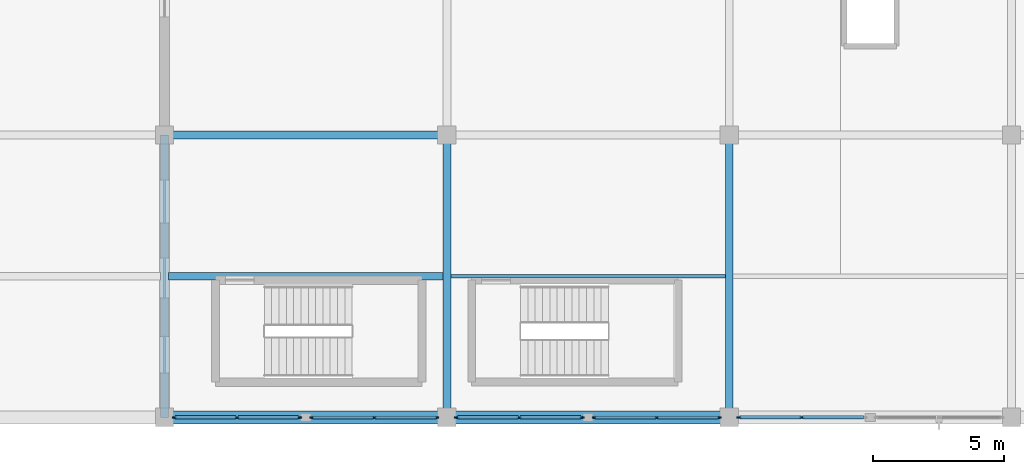
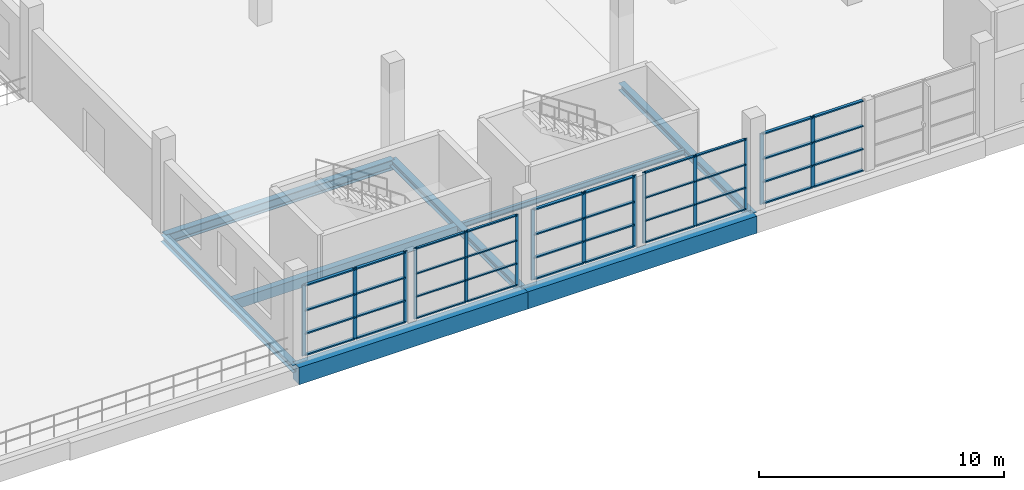
# One storey, part 52 of 142: 54 members, 8 beams, 5 elements without a shape of their own.
"""IFC4 building model written with IfcOpenShell, lengths in metres."""

from ifc_helpers import new_model, si_unit, direction, frame, origin, origin_2d, place, context, subcontext, project, spatial, rectangle, i_section, extrude, material, material_profile, profile_set, type_object, element, aggregate, save


model = new_model("IFC4")

# Units and contexts
model_context = context("Model", 3, precision=1e-05, world=origin(), true_north=direction((0.0, 1.0)))
body_context = subcontext(model_context, "Body", "Model", "MODEL_VIEW")
ifc_project = project(units=[si_unit("LENGTHUNIT", "METRE"), si_unit("AREAUNIT", "SQUARE_METRE"), si_unit("VOLUMEUNIT", "CUBIC_METRE"), si_unit("PLANEANGLEUNIT", "RADIAN"), si_unit("MASSUNIT", "GRAM", prefix="KILO")], contexts=[model_context])

# Site, building, storey
site_placement = place(None, origin())
site = spatial("IfcSite", under=ifc_project, at=site_placement, CompositionType="ELEMENT")
building_placement = place(site_placement, origin())
building = spatial("IfcBuilding", under=site, at=building_placement, Name="Zwinboog Wholesale Market", CompositionType="ELEMENT")
storey_placement = place(building_placement, frame((0.0, 0.0, 5.39990234375)))
storey = spatial("IfcBuildingStorey", under=building, at=storey_placement, Name="L01", CompositionType="ELEMENT", Elevation=5.39990234375)

# Beams
ifc_material_1 = material(Name="Precast concrete C45/55", Category="concrete")
ifc_material_profile_1 = material_profile(ifc_material_1, rectangle(XDim=0.5, YDim=0.85009765625, at=origin_2d()), Name="PC 500x850")
ifc_profile_set_1 = profile_set([ifc_material_profile_1], Name="Precast concrete C45/55")
beam_type_1 = type_object("IfcBeamType", Name="BT-03", PredefinedType="BEAM", material=ifc_profile_set_1)
beam_1_placement = place(storey_placement, frame((129.60009765625, 0.0, -0.7568359375), z_axis=(1.0, 0.0, 0.0), x_axis=(0.0, 1.0, 0.0)))
element("IfcBeam", 1, at=beam_1_placement, inside=storey, type_object=beam_type_1, Name="BG-03 (BMG-L01-1296-0000-0417)", PredefinedType="BEAM", context=body_context, shape_type="SweptSolid", body=[
    extrude(rectangle(XDim=0.5, YDim=0.85009765625, at=origin_2d()), origin(), (0.0, 0.0, 1.0), 10.7998046875),
])
beam_2_placement = place(storey_placement, frame((140.39990234375, 0.0, -0.7568359375), z_axis=(1.0, 0.0, 0.0), x_axis=(0.0, 1.0, 0.0)))
element("IfcBeam", 2, at=beam_2_placement, inside=storey, type_object=beam_type_1, Name="BG-03 (BMG-L01-1404-0000-0418)", PredefinedType="BEAM", context=body_context, shape_type="SweptSolid", body=[
    extrude(rectangle(XDim=0.5, YDim=0.85009765625, at=origin_2d()), origin(), (0.0, 0.0, 1.0), 10.800048828125),
])
ifc_material_profile_2 = material_profile(ifc_material_1, rectangle(XDim=0.300048828125, YDim=0.5, at=origin_2d()), Name="PC 300x500")
ifc_profile_set_2 = profile_set([ifc_material_profile_2], Name="Precast concrete C45/55")
beam_type_2 = type_object("IfcBeamType", Name="BT-10", PredefinedType="JOIST", material=ifc_profile_set_2)
beam_3_placement = place(storey_placement, frame((129.75, 5.39990234375, -0.581787109375), z_axis=(1.0, 0.0, 0.0), x_axis=(0.0, 1.0, 0.0)))
element("IfcBeam", 3, at=beam_3_placement, inside=storey, type_object=beam_type_2, Name="BJ-01 (BMG-L01-1298-0054-0903)", PredefinedType="JOIST", context=body_context, shape_type="SweptSolid", body=[
    extrude(rectangle(XDim=0.300048828125, YDim=0.5, at=origin_2d()), origin(), (0.0, 0.0, 1.0), 10.5),
])
ifc_material_2 = material(Name="Steel S355", Category="steel")
ifc_material_profile_3 = material_profile(ifc_material_2, i_section(OverallWidth=0.300048828125, OverallDepth=0.5, WebThickness=0.014404296875, FlangeThickness=0.028076171875, FilletRadius=0.027099609375, at=origin_2d()), Name="HEB 500")
ifc_profile_set_3 = profile_set([ifc_material_profile_3], Name="Steel S355")
beam_type_3 = type_object("IfcBeamType", Name="BT-14", PredefinedType="BEAM", material=ifc_profile_set_3)
beam_4_placement = place(storey_placement, frame((129.60009765625, 10.800048828125, -0.581787109375), z_axis=(1.0, 0.0, 0.0), x_axis=(0.0, 1.0, 0.0)))
element("IfcBeam", 4, at=beam_4_placement, inside=storey, type_object=beam_type_3, Name="SB-01 (BMG-L01-1296-0108-0429)", PredefinedType="BEAM", context=body_context, shape_type="SweptSolid", body=[
    extrude(i_section(OverallWidth=0.300048828125, OverallDepth=0.5, WebThickness=0.014404296875, FlangeThickness=0.028076171875, FilletRadius=0.027099609375, at=origin_2d()), origin(), (0.0, 0.0, 1.0), 10.7998046875),
])
ifc_material_profile_4 = material_profile(ifc_material_2, i_section(OverallWidth=0.300048828125, OverallDepth=0.35009765625, WebThickness=0.010009765625, FlangeThickness=0.017578125, FilletRadius=0.027099609375, at=origin_2d()), Name="HEA 360")
ifc_profile_set_4 = profile_set([ifc_material_profile_4], Name="Steel S355")
beam_type_4 = type_object("IfcBeamType", Name="BT-17", PredefinedType="BEAM", material=ifc_profile_set_4)
for number, where, z_axis, x_axis, name in (
    (5, (129.60009765625, 0.0, -0.5068359375), (0.0, 1.0, 0.0), (-1.0, 0.0, 0.0), "SB-04 (BMG-L01-1296-0000-0703)"),
    (6, (140.39990234375, 0.0, -0.5068359375), (0.0, 1.0, 0.0), (-1.0, 0.0, 0.0), "SB-04 (BMG-L01-1404-0000-0712)"),
    (7, (151.199951171875, 0.0, -0.5068359375), (0.0, 1.0, 0.0), (-1.0, 0.0, 0.0), "SB-04 (BMG-L01-1512-0000-0721)"),
):
    element("IfcBeam", number, at=place(storey_placement, frame(where, z_axis=z_axis, x_axis=x_axis)), inside=storey, type_object=beam_type_4, Name=name, PredefinedType="BEAM", context=body_context, shape_type="SweptSolid", body=[
        extrude(i_section(OverallWidth=0.300048828125, OverallDepth=0.35009765625, WebThickness=0.010009765625, FlangeThickness=0.017578125, FilletRadius=0.027099609375, at=origin_2d()), origin(), (0.0, 0.0, 1.0), 10.800048828125),
    ])
ifc_material_profile_5 = material_profile(ifc_material_2, i_section(OverallWidth=0.135009765625, OverallDepth=0.27001953125, WebThickness=0.006591796875, FlangeThickness=0.01025390625, FilletRadius=0.014892578125, at=origin_2d()), Name="IPE 270")
ifc_profile_set_5 = profile_set([ifc_material_profile_5], Name="Steel S355")
beam_type_5 = type_object("IfcBeamType", Name="BT-21", PredefinedType="JOIST", material=ifc_profile_set_5)
beam_5_placement = place(storey_placement, frame((140.550048828125, 5.39990234375, -0.466796875), z_axis=(1.0, 0.0, 0.0), x_axis=(0.0, 1.0, 0.0)))
element("IfcBeam", 8, at=beam_5_placement, inside=storey, type_object=beam_type_5, Name="SJ-04 (BMG-L01-1406-0054-0907)", PredefinedType="JOIST", context=body_context, shape_type="SweptSolid", body=[
    extrude(i_section(OverallWidth=0.135009765625, OverallDepth=0.27001953125, WebThickness=0.006591796875, FlangeThickness=0.01025390625, FilletRadius=0.014892578125, at=origin_2d()), origin(), (0.0, 0.0, 1.0), 10.5),
])

# Curtain wall, members
ifc_material_3 = material(Name="Aluminium thermally broken curtain wall", Category="aluminium")
curtain_wall_type_1 = type_object("IfcCurtainWallType", Name="CWT-STALL-18", PredefinedType="USERDEFINED", material=ifc_material_3)
curtain_wall_1_placement = place(storey_placement, origin())
curtain_wall_1 = element("IfcCurtainWall", 9, at=curtain_wall_1_placement, inside=storey, type_object=curtain_wall_type_1, Name="CW-01 (CW-L01-115)", ObjectType="STOREFRONT_GLAZING", PredefinedType="USERDEFINED")
ifc_material_4 = material(Name="Aluminium EN AW-6060", Category="aluminium")
ifc_material_profile_6 = material_profile(ifc_material_4, rectangle(XDim=0.06494140625, YDim=0.179931640625, at=origin_2d()), Name="AL 65x180")
ifc_profile_set_6 = profile_set([ifc_material_profile_6], Name="Aluminium EN AW-6060")
member_type_1 = type_object("IfcMemberType", Name="CWM-65x180", PredefinedType="MULLION", material=ifc_profile_set_6)
member_1_placement = place(storey_placement, frame((129.9775390625, 0.0, 0.0), z_axis=(0.0, 0.0, 1.0), x_axis=(0.0, 1.0, 0.0)))
member_1 = element("IfcMember", 10, at=member_1_placement, type_object=member_type_1, Name="CW-01 mullion 1", PredefinedType="MULLION", context=body_context, shape_type="SweptSolid", body=[
    extrude(rectangle(XDim=0.06494140625, YDim=0.179931640625, at=origin_2d()), origin(), (0.0, 0.0, 1.0), 3.530029296875),
])
member_2_placement = place(storey_placement, frame((132.37255859375, 0.0, 0.0), z_axis=(0.0, 0.0, 1.0), x_axis=(0.0, 1.0, 0.0)))
member_2 = element("IfcMember", 11, at=member_2_placement, type_object=member_type_1, Name="CW-01 mullion 2", PredefinedType="MULLION", context=body_context, shape_type="SweptSolid", body=[
    extrude(rectangle(XDim=0.06494140625, YDim=0.179931640625, at=origin_2d()), origin(), (0.0, 0.0, 1.0), 3.530029296875),
])
member_3_placement = place(storey_placement, frame((134.767578125, 0.0, 0.0), z_axis=(0.0, 0.0, 1.0), x_axis=(0.0, 1.0, 0.0)))
member_3 = element("IfcMember", 12, at=member_3_placement, type_object=member_type_1, Name="CW-01 mullion 3", PredefinedType="MULLION", context=body_context, shape_type="SweptSolid", body=[
    extrude(rectangle(XDim=0.06494140625, YDim=0.179931640625, at=origin_2d()), origin(), (0.0, 0.0, 1.0), 3.530029296875),
])

curtain_wall_2_placement = place(storey_placement, origin())
curtain_wall_2 = element("IfcCurtainWall", 13, at=curtain_wall_2_placement, inside=storey, type_object=curtain_wall_type_1, Name="CW-01 (CW-L01-121)", ObjectType="STOREFRONT_GLAZING", PredefinedType="USERDEFINED")
member_4_placement = place(storey_placement, frame((140.777587890625, 0.0, 0.0), z_axis=(0.0, 0.0, 1.0), x_axis=(0.0, 1.0, 0.0)))
member_4 = element("IfcMember", 14, at=member_4_placement, type_object=member_type_1, Name="CW-01 mullion 1", PredefinedType="MULLION", context=body_context, shape_type="SweptSolid", body=[
    extrude(rectangle(XDim=0.06494140625, YDim=0.179931640625, at=origin_2d()), origin(), (0.0, 0.0, 1.0), 3.530029296875),
])
member_5_placement = place(storey_placement, frame((143.172607421875, 0.0, 0.0), z_axis=(0.0, 0.0, 1.0), x_axis=(0.0, 1.0, 0.0)))
member_5 = element("IfcMember", 15, at=member_5_placement, type_object=member_type_1, Name="CW-01 mullion 2", PredefinedType="MULLION", context=body_context, shape_type="SweptSolid", body=[
    extrude(rectangle(XDim=0.06494140625, YDim=0.179931640625, at=origin_2d()), origin(), (0.0, 0.0, 1.0), 3.530029296875),
])
member_6_placement = place(storey_placement, frame((145.5673828125, 0.0, 0.0), z_axis=(0.0, 0.0, 1.0), x_axis=(0.0, 1.0, 0.0)))
member_6 = element("IfcMember", 16, at=member_6_placement, type_object=member_type_1, Name="CW-01 mullion 3", PredefinedType="MULLION", context=body_context, shape_type="SweptSolid", body=[
    extrude(rectangle(XDim=0.06494140625, YDim=0.179931640625, at=origin_2d()), origin(), (0.0, 0.0, 1.0), 3.530029296875),
])

curtain_wall_type_2 = type_object("IfcCurtainWallType", Name="CWT-CAFE-22", PredefinedType="USERDEFINED", material=ifc_material_3)
curtain_wall_3_placement = place(storey_placement, origin())
curtain_wall_3 = element("IfcCurtainWall", 17, at=curtain_wall_3_placement, inside=storey, type_object=curtain_wall_type_2, Name="CW-05 (CW-L01-125)", ObjectType="STOREFRONT_GLAZING", PredefinedType="USERDEFINED")
member_7_placement = place(storey_placement, frame((151.577392578125, 0.0, 0.0), z_axis=(0.0, 0.0, 1.0), x_axis=(0.0, 1.0, 0.0)))
member_7 = element("IfcMember", 18, at=member_7_placement, type_object=member_type_1, Name="CW-05 mullion 1", PredefinedType="MULLION", context=body_context, shape_type="SweptSolid", body=[
    extrude(rectangle(XDim=0.06494140625, YDim=0.179931640625, at=origin_2d()), origin(), (0.0, 0.0, 1.0), 3.530029296875),
])
member_8_placement = place(storey_placement, frame((153.972412109375, 0.0, 0.0), z_axis=(0.0, 0.0, 1.0), x_axis=(0.0, 1.0, 0.0)))
member_8 = element("IfcMember", 19, at=member_8_placement, type_object=member_type_1, Name="CW-05 mullion 2", PredefinedType="MULLION", context=body_context, shape_type="SweptSolid", body=[
    extrude(rectangle(XDim=0.06494140625, YDim=0.179931640625, at=origin_2d()), origin(), (0.0, 0.0, 1.0), 3.530029296875),
])

curtain_wall_type_3 = type_object("IfcCurtainWallType", Name="CWT-STALL-20", PredefinedType="USERDEFINED", material=ifc_material_3)
curtain_wall_4_placement = place(storey_placement, origin())
curtain_wall_4 = element("IfcCurtainWall", 20, at=curtain_wall_4_placement, inside=storey, type_object=curtain_wall_type_3, Name="CW-02 (CW-L01-116)", ObjectType="STOREFRONT_GLAZING", PredefinedType="USERDEFINED")
ifc_material_profile_7 = material_profile(ifc_material_4, rectangle(XDim=0.06005859375, YDim=0.14990234375, at=origin_2d()), Name="AL 60x150")
ifc_profile_set_7 = profile_set([ifc_material_profile_7], Name="Aluminium EN AW-6060")
member_type_2 = type_object("IfcMemberType", Name="CWM-60x150", PredefinedType="MULLION", material=ifc_profile_set_7)
member_9_placement = place(storey_placement, frame((135.22998046875, 0.0, 0.0), z_axis=(0.0, 0.0, 1.0), x_axis=(0.0, 1.0, 0.0)))
member_9 = element("IfcMember", 21, at=member_9_placement, type_object=member_type_2, Name="CW-02 mullion 1", PredefinedType="MULLION", context=body_context, shape_type="SweptSolid", body=[
    extrude(rectangle(XDim=0.06005859375, YDim=0.14990234375, at=origin_2d()), origin(), (0.0, 0.0, 1.0), 3.530029296875),
])
member_10_placement = place(storey_placement, frame((137.62744140625, 0.0, 0.0), z_axis=(0.0, 0.0, 1.0), x_axis=(0.0, 1.0, 0.0)))
member_10 = element("IfcMember", 22, at=member_10_placement, type_object=member_type_2, Name="CW-02 mullion 2", PredefinedType="MULLION", context=body_context, shape_type="SweptSolid", body=[
    extrude(rectangle(XDim=0.06005859375, YDim=0.14990234375, at=origin_2d()), origin(), (0.0, 0.0, 1.0), 3.530029296875),
])
member_11_placement = place(storey_placement, frame((140.02490234375, 0.0, 0.0), z_axis=(0.0, 0.0, 1.0), x_axis=(0.0, 1.0, 0.0)))
member_11 = element("IfcMember", 23, at=member_11_placement, type_object=member_type_2, Name="CW-02 mullion 3", PredefinedType="MULLION", context=body_context, shape_type="SweptSolid", body=[
    extrude(rectangle(XDim=0.06005859375, YDim=0.14990234375, at=origin_2d()), origin(), (0.0, 0.0, 1.0), 3.530029296875),
])

curtain_wall_5_placement = place(storey_placement, origin())
curtain_wall_5 = element("IfcCurtainWall", 24, at=curtain_wall_5_placement, inside=storey, type_object=curtain_wall_type_3, Name="CW-02 (CW-L01-122)", ObjectType="STOREFRONT_GLAZING", PredefinedType="USERDEFINED")
member_12_placement = place(storey_placement, frame((146.030029296875, 0.0, 0.0), z_axis=(0.0, 0.0, 1.0), x_axis=(0.0, 1.0, 0.0)))
member_12 = element("IfcMember", 25, at=member_12_placement, type_object=member_type_2, Name="CW-02 mullion 1", PredefinedType="MULLION", context=body_context, shape_type="SweptSolid", body=[
    extrude(rectangle(XDim=0.06005859375, YDim=0.14990234375, at=origin_2d()), origin(), (0.0, 0.0, 1.0), 3.530029296875),
])
member_13_placement = place(storey_placement, frame((148.427490234375, 0.0, 0.0), z_axis=(0.0, 0.0, 1.0), x_axis=(0.0, 1.0, 0.0)))
member_13 = element("IfcMember", 26, at=member_13_placement, type_object=member_type_2, Name="CW-02 mullion 2", PredefinedType="MULLION", context=body_context, shape_type="SweptSolid", body=[
    extrude(rectangle(XDim=0.06005859375, YDim=0.14990234375, at=origin_2d()), origin(), (0.0, 0.0, 1.0), 3.530029296875),
])
member_14_placement = place(storey_placement, frame((150.824951171875, 0.0, 0.0), z_axis=(0.0, 0.0, 1.0), x_axis=(0.0, 1.0, 0.0)))
member_14 = element("IfcMember", 27, at=member_14_placement, type_object=member_type_2, Name="CW-02 mullion 3", PredefinedType="MULLION", context=body_context, shape_type="SweptSolid", body=[
    extrude(rectangle(XDim=0.06005859375, YDim=0.14990234375, at=origin_2d()), origin(), (0.0, 0.0, 1.0), 3.530029296875),
])

# Member
ifc_material_profile_8 = material_profile(ifc_material_4, rectangle(XDim=0.139892578125, YDim=0.06494140625, at=origin_2d()), Name="AL 65x140")
ifc_profile_set_8 = profile_set([ifc_material_profile_8], Name="Aluminium EN AW-6060")
member_type_3 = type_object("IfcMemberType", Name="CWT-65x140", PredefinedType="USERDEFINED", material=ifc_profile_set_8)
member_15_placement = place(storey_placement, frame((130.010009765625, 0.0, 0.03271484375), z_axis=(1.0, 0.0, 0.0), x_axis=(0.0, 1.0, 0.0)))
member_15 = element("IfcMember", 28, at=member_15_placement, type_object=member_type_3, Name="CW-01 transom 1.1", ObjectType="TRANSOM", PredefinedType="USERDEFINED", context=body_context, shape_type="SweptSolid", body=[
    extrude(rectangle(XDim=0.139892578125, YDim=0.06494140625, at=origin_2d()), origin(), (0.0, 0.0, 1.0), 2.330078125),
])

member_16_placement = place(storey_placement, frame((130.010009765625, 0.0, 1.10009765625), z_axis=(1.0, 0.0, 0.0), x_axis=(0.0, 1.0, 0.0)))
member_16 = element("IfcMember", 29, at=member_16_placement, type_object=member_type_3, Name="CW-01 transom 1.2", ObjectType="TRANSOM", PredefinedType="USERDEFINED", context=body_context, shape_type="SweptSolid", body=[
    extrude(rectangle(XDim=0.139892578125, YDim=0.06494140625, at=origin_2d()), origin(), (0.0, 0.0, 1.0), 2.330078125),
])

member_17_placement = place(storey_placement, frame((130.010009765625, 0.0, 2.25), z_axis=(1.0, 0.0, 0.0), x_axis=(0.0, 1.0, 0.0)))
member_17 = element("IfcMember", 30, at=member_17_placement, type_object=member_type_3, Name="CW-01 transom 1.3", ObjectType="TRANSOM", PredefinedType="USERDEFINED", context=body_context, shape_type="SweptSolid", body=[
    extrude(rectangle(XDim=0.139892578125, YDim=0.06494140625, at=origin_2d()), origin(), (0.0, 0.0, 1.0), 2.330078125),
])

member_18_placement = place(storey_placement, frame((130.010009765625, 0.0, 3.49755859375), z_axis=(1.0, 0.0, 0.0), x_axis=(0.0, 1.0, 0.0)))
member_18 = element("IfcMember", 31, at=member_18_placement, type_object=member_type_3, Name="CW-01 transom 1.4", ObjectType="TRANSOM", PredefinedType="USERDEFINED", context=body_context, shape_type="SweptSolid", body=[
    extrude(rectangle(XDim=0.139892578125, YDim=0.06494140625, at=origin_2d()), origin(), (0.0, 0.0, 1.0), 2.330078125),
])

member_19_placement = place(storey_placement, frame((132.405029296875, 0.0, 0.03271484375), z_axis=(1.0, 0.0, 0.0), x_axis=(0.0, 1.0, 0.0)))
member_19 = element("IfcMember", 32, at=member_19_placement, type_object=member_type_3, Name="CW-01 transom 2.1", ObjectType="TRANSOM", PredefinedType="USERDEFINED", context=body_context, shape_type="SweptSolid", body=[
    extrude(rectangle(XDim=0.139892578125, YDim=0.06494140625, at=origin_2d()), origin(), (0.0, 0.0, 1.0), 2.330078125),
])

member_20_placement = place(storey_placement, frame((132.405029296875, 0.0, 1.10009765625), z_axis=(1.0, 0.0, 0.0), x_axis=(0.0, 1.0, 0.0)))
member_20 = element("IfcMember", 33, at=member_20_placement, type_object=member_type_3, Name="CW-01 transom 2.2", ObjectType="TRANSOM", PredefinedType="USERDEFINED", context=body_context, shape_type="SweptSolid", body=[
    extrude(rectangle(XDim=0.139892578125, YDim=0.06494140625, at=origin_2d()), origin(), (0.0, 0.0, 1.0), 2.330078125),
])

member_21_placement = place(storey_placement, frame((132.405029296875, 0.0, 2.25), z_axis=(1.0, 0.0, 0.0), x_axis=(0.0, 1.0, 0.0)))
member_21 = element("IfcMember", 34, at=member_21_placement, type_object=member_type_3, Name="CW-01 transom 2.3", ObjectType="TRANSOM", PredefinedType="USERDEFINED", context=body_context, shape_type="SweptSolid", body=[
    extrude(rectangle(XDim=0.139892578125, YDim=0.06494140625, at=origin_2d()), origin(), (0.0, 0.0, 1.0), 2.330078125),
])

member_22_placement = place(storey_placement, frame((132.405029296875, 0.0, 3.49755859375), z_axis=(1.0, 0.0, 0.0), x_axis=(0.0, 1.0, 0.0)))
member_22 = element("IfcMember", 35, at=member_22_placement, type_object=member_type_3, Name="CW-01 transom 2.4", ObjectType="TRANSOM", PredefinedType="USERDEFINED", context=body_context, shape_type="SweptSolid", body=[
    extrude(rectangle(XDim=0.139892578125, YDim=0.06494140625, at=origin_2d()), origin(), (0.0, 0.0, 1.0), 2.330078125),
])

aggregate(curtain_wall_1, [member_1, member_2, member_3, member_15, member_16, member_17, member_18, member_19, member_20, member_21, member_22])

member_23_placement = place(storey_placement, frame((140.81005859375, 0.0, 0.03271484375), z_axis=(1.0, 0.0, 0.0), x_axis=(0.0, 1.0, 0.0)))
member_23 = element("IfcMember", 36, at=member_23_placement, type_object=member_type_3, Name="CW-01 transom 1.1", ObjectType="TRANSOM", PredefinedType="USERDEFINED", context=body_context, shape_type="SweptSolid", body=[
    extrude(rectangle(XDim=0.139892578125, YDim=0.06494140625, at=origin_2d()), origin(), (0.0, 0.0, 1.0), 2.329833984375),
])

member_24_placement = place(storey_placement, frame((140.81005859375, 0.0, 1.10009765625), z_axis=(1.0, 0.0, 0.0), x_axis=(0.0, 1.0, 0.0)))
member_24 = element("IfcMember", 37, at=member_24_placement, type_object=member_type_3, Name="CW-01 transom 1.2", ObjectType="TRANSOM", PredefinedType="USERDEFINED", context=body_context, shape_type="SweptSolid", body=[
    extrude(rectangle(XDim=0.139892578125, YDim=0.06494140625, at=origin_2d()), origin(), (0.0, 0.0, 1.0), 2.329833984375),
])

member_25_placement = place(storey_placement, frame((140.81005859375, 0.0, 2.25), z_axis=(1.0, 0.0, 0.0), x_axis=(0.0, 1.0, 0.0)))
member_25 = element("IfcMember", 38, at=member_25_placement, type_object=member_type_3, Name="CW-01 transom 1.3", ObjectType="TRANSOM", PredefinedType="USERDEFINED", context=body_context, shape_type="SweptSolid", body=[
    extrude(rectangle(XDim=0.139892578125, YDim=0.06494140625, at=origin_2d()), origin(), (0.0, 0.0, 1.0), 2.329833984375),
])

member_26_placement = place(storey_placement, frame((140.81005859375, 0.0, 3.49755859375), z_axis=(1.0, 0.0, 0.0), x_axis=(0.0, 1.0, 0.0)))
member_26 = element("IfcMember", 39, at=member_26_placement, type_object=member_type_3, Name="CW-01 transom 1.4", ObjectType="TRANSOM", PredefinedType="USERDEFINED", context=body_context, shape_type="SweptSolid", body=[
    extrude(rectangle(XDim=0.139892578125, YDim=0.06494140625, at=origin_2d()), origin(), (0.0, 0.0, 1.0), 2.329833984375),
])

member_27_placement = place(storey_placement, frame((143.205078125, 0.0, 0.03271484375), z_axis=(1.0, 0.0, 0.0), x_axis=(0.0, 1.0, 0.0)))
member_27 = element("IfcMember", 40, at=member_27_placement, type_object=member_type_3, Name="CW-01 transom 2.1", ObjectType="TRANSOM", PredefinedType="USERDEFINED", context=body_context, shape_type="SweptSolid", body=[
    extrude(rectangle(XDim=0.139892578125, YDim=0.06494140625, at=origin_2d()), origin(), (0.0, 0.0, 1.0), 2.329833984375),
])

member_28_placement = place(storey_placement, frame((143.205078125, 0.0, 1.10009765625), z_axis=(1.0, 0.0, 0.0), x_axis=(0.0, 1.0, 0.0)))
member_28 = element("IfcMember", 41, at=member_28_placement, type_object=member_type_3, Name="CW-01 transom 2.2", ObjectType="TRANSOM", PredefinedType="USERDEFINED", context=body_context, shape_type="SweptSolid", body=[
    extrude(rectangle(XDim=0.139892578125, YDim=0.06494140625, at=origin_2d()), origin(), (0.0, 0.0, 1.0), 2.329833984375),
])

member_29_placement = place(storey_placement, frame((143.205078125, 0.0, 2.25), z_axis=(1.0, 0.0, 0.0), x_axis=(0.0, 1.0, 0.0)))
member_29 = element("IfcMember", 42, at=member_29_placement, type_object=member_type_3, Name="CW-01 transom 2.3", ObjectType="TRANSOM", PredefinedType="USERDEFINED", context=body_context, shape_type="SweptSolid", body=[
    extrude(rectangle(XDim=0.139892578125, YDim=0.06494140625, at=origin_2d()), origin(), (0.0, 0.0, 1.0), 2.329833984375),
])

member_30_placement = place(storey_placement, frame((143.205078125, 0.0, 3.49755859375), z_axis=(1.0, 0.0, 0.0), x_axis=(0.0, 1.0, 0.0)))
member_30 = element("IfcMember", 43, at=member_30_placement, type_object=member_type_3, Name="CW-01 transom 2.4", ObjectType="TRANSOM", PredefinedType="USERDEFINED", context=body_context, shape_type="SweptSolid", body=[
    extrude(rectangle(XDim=0.139892578125, YDim=0.06494140625, at=origin_2d()), origin(), (0.0, 0.0, 1.0), 2.329833984375),
])

aggregate(curtain_wall_2, [member_4, member_5, member_6, member_23, member_24, member_25, member_26, member_27, member_28, member_29, member_30])

member_31_placement = place(storey_placement, frame((151.610107421875, 0.0, 0.03271484375), z_axis=(1.0, 0.0, 0.0), x_axis=(0.0, 1.0, 0.0)))
member_31 = element("IfcMember", 44, at=member_31_placement, type_object=member_type_3, Name="CW-05 transom 1.1", ObjectType="TRANSOM", PredefinedType="USERDEFINED", context=body_context, shape_type="SweptSolid", body=[
    extrude(rectangle(XDim=0.139892578125, YDim=0.06494140625, at=origin_2d()), origin(), (0.0, 0.0, 1.0), 2.329833984375),
])

member_32_placement = place(storey_placement, frame((151.610107421875, 0.0, 1.10009765625), z_axis=(1.0, 0.0, 0.0), x_axis=(0.0, 1.0, 0.0)))
member_32 = element("IfcMember", 45, at=member_32_placement, type_object=member_type_3, Name="CW-05 transom 1.2", ObjectType="TRANSOM", PredefinedType="USERDEFINED", context=body_context, shape_type="SweptSolid", body=[
    extrude(rectangle(XDim=0.139892578125, YDim=0.06494140625, at=origin_2d()), origin(), (0.0, 0.0, 1.0), 2.329833984375),
])

member_33_placement = place(storey_placement, frame((151.610107421875, 0.0, 2.25), z_axis=(1.0, 0.0, 0.0), x_axis=(0.0, 1.0, 0.0)))
member_33 = element("IfcMember", 46, at=member_33_placement, type_object=member_type_3, Name="CW-05 transom 1.3", ObjectType="TRANSOM", PredefinedType="USERDEFINED", context=body_context, shape_type="SweptSolid", body=[
    extrude(rectangle(XDim=0.139892578125, YDim=0.06494140625, at=origin_2d()), origin(), (0.0, 0.0, 1.0), 2.329833984375),
])

member_34_placement = place(storey_placement, frame((151.610107421875, 0.0, 3.49755859375), z_axis=(1.0, 0.0, 0.0), x_axis=(0.0, 1.0, 0.0)))
member_34 = element("IfcMember", 47, at=member_34_placement, type_object=member_type_3, Name="CW-05 transom 1.4", ObjectType="TRANSOM", PredefinedType="USERDEFINED", context=body_context, shape_type="SweptSolid", body=[
    extrude(rectangle(XDim=0.139892578125, YDim=0.06494140625, at=origin_2d()), origin(), (0.0, 0.0, 1.0), 2.329833984375),
])

member_35_placement = place(storey_placement, frame((154.0048828125, 0.0, 0.03271484375), z_axis=(1.0, 0.0, 0.0), x_axis=(0.0, 1.0, 0.0)))
member_35 = element("IfcMember", 48, at=member_35_placement, type_object=member_type_3, Name="CW-05 transom 2.1", ObjectType="TRANSOM", PredefinedType="USERDEFINED", context=body_context, shape_type="SweptSolid", body=[
    extrude(rectangle(XDim=0.139892578125, YDim=0.06494140625, at=origin_2d()), origin(), (0.0, 0.0, 1.0), 2.330078125),
])

member_36_placement = place(storey_placement, frame((154.0048828125, 0.0, 1.10009765625), z_axis=(1.0, 0.0, 0.0), x_axis=(0.0, 1.0, 0.0)))
member_36 = element("IfcMember", 49, at=member_36_placement, type_object=member_type_3, Name="CW-05 transom 2.2", ObjectType="TRANSOM", PredefinedType="USERDEFINED", context=body_context, shape_type="SweptSolid", body=[
    extrude(rectangle(XDim=0.139892578125, YDim=0.06494140625, at=origin_2d()), origin(), (0.0, 0.0, 1.0), 2.330078125),
])

member_37_placement = place(storey_placement, frame((154.0048828125, 0.0, 2.25), z_axis=(1.0, 0.0, 0.0), x_axis=(0.0, 1.0, 0.0)))
member_37 = element("IfcMember", 50, at=member_37_placement, type_object=member_type_3, Name="CW-05 transom 2.3", ObjectType="TRANSOM", PredefinedType="USERDEFINED", context=body_context, shape_type="SweptSolid", body=[
    extrude(rectangle(XDim=0.139892578125, YDim=0.06494140625, at=origin_2d()), origin(), (0.0, 0.0, 1.0), 2.330078125),
])

member_38_placement = place(storey_placement, frame((154.0048828125, 0.0, 3.49755859375), z_axis=(1.0, 0.0, 0.0), x_axis=(0.0, 1.0, 0.0)))
member_38 = element("IfcMember", 51, at=member_38_placement, type_object=member_type_3, Name="CW-05 transom 2.4", ObjectType="TRANSOM", PredefinedType="USERDEFINED", context=body_context, shape_type="SweptSolid", body=[
    extrude(rectangle(XDim=0.139892578125, YDim=0.06494140625, at=origin_2d()), origin(), (0.0, 0.0, 1.0), 2.330078125),
])

aggregate(curtain_wall_3, [member_7, member_8, member_31, member_32, member_33, member_34, member_35, member_36, member_37, member_38])

ifc_material_profile_9 = material_profile(ifc_material_4, rectangle(XDim=0.110107421875, YDim=0.06005859375, at=origin_2d()), Name="AL 60x110")
ifc_profile_set_9 = profile_set([ifc_material_profile_9], Name="Aluminium EN AW-6060")
member_type_4 = type_object("IfcMemberType", Name="CWT-60x110", PredefinedType="USERDEFINED", material=ifc_profile_set_9)
member_39_placement = place(storey_placement, frame((135.260009765625, 0.0, 0.030029296875), z_axis=(1.0, 0.0, 0.0), x_axis=(0.0, 1.0, 0.0)))
member_39 = element("IfcMember", 52, at=member_39_placement, type_object=member_type_4, Name="CW-02 transom 1.1", ObjectType="TRANSOM", PredefinedType="USERDEFINED", context=body_context, shape_type="SweptSolid", body=[
    extrude(rectangle(XDim=0.110107421875, YDim=0.06005859375, at=origin_2d()), origin(), (0.0, 0.0, 1.0), 2.33740234375),
])

member_40_placement = place(storey_placement, frame((135.260009765625, 0.0, 1.10009765625), z_axis=(1.0, 0.0, 0.0), x_axis=(0.0, 1.0, 0.0)))
member_40 = element("IfcMember", 53, at=member_40_placement, type_object=member_type_4, Name="CW-02 transom 1.2", ObjectType="TRANSOM", PredefinedType="USERDEFINED", context=body_context, shape_type="SweptSolid", body=[
    extrude(rectangle(XDim=0.110107421875, YDim=0.06005859375, at=origin_2d()), origin(), (0.0, 0.0, 1.0), 2.33740234375),
])

member_41_placement = place(storey_placement, frame((135.260009765625, 0.0, 2.25), z_axis=(1.0, 0.0, 0.0), x_axis=(0.0, 1.0, 0.0)))
member_41 = element("IfcMember", 54, at=member_41_placement, type_object=member_type_4, Name="CW-02 transom 1.3", ObjectType="TRANSOM", PredefinedType="USERDEFINED", context=body_context, shape_type="SweptSolid", body=[
    extrude(rectangle(XDim=0.110107421875, YDim=0.06005859375, at=origin_2d()), origin(), (0.0, 0.0, 1.0), 2.33740234375),
])

member_42_placement = place(storey_placement, frame((135.260009765625, 0.0, 3.5), z_axis=(1.0, 0.0, 0.0), x_axis=(0.0, 1.0, 0.0)))
member_42 = element("IfcMember", 55, at=member_42_placement, type_object=member_type_4, Name="CW-02 transom 1.4", ObjectType="TRANSOM", PredefinedType="USERDEFINED", context=body_context, shape_type="SweptSolid", body=[
    extrude(rectangle(XDim=0.110107421875, YDim=0.06005859375, at=origin_2d()), origin(), (0.0, 0.0, 1.0), 2.33740234375),
])

member_43_placement = place(storey_placement, frame((137.657470703125, 0.0, 0.030029296875), z_axis=(1.0, 0.0, 0.0), x_axis=(0.0, 1.0, 0.0)))
member_43 = element("IfcMember", 56, at=member_43_placement, type_object=member_type_4, Name="CW-02 transom 2.1", ObjectType="TRANSOM", PredefinedType="USERDEFINED", context=body_context, shape_type="SweptSolid", body=[
    extrude(rectangle(XDim=0.110107421875, YDim=0.06005859375, at=origin_2d()), origin(), (0.0, 0.0, 1.0), 2.337646484375),
])

member_44_placement = place(storey_placement, frame((137.657470703125, 0.0, 1.10009765625), z_axis=(1.0, 0.0, 0.0), x_axis=(0.0, 1.0, 0.0)))
member_44 = element("IfcMember", 57, at=member_44_placement, type_object=member_type_4, Name="CW-02 transom 2.2", ObjectType="TRANSOM", PredefinedType="USERDEFINED", context=body_context, shape_type="SweptSolid", body=[
    extrude(rectangle(XDim=0.110107421875, YDim=0.06005859375, at=origin_2d()), origin(), (0.0, 0.0, 1.0), 2.337646484375),
])

member_45_placement = place(storey_placement, frame((137.657470703125, 0.0, 2.25), z_axis=(1.0, 0.0, 0.0), x_axis=(0.0, 1.0, 0.0)))
member_45 = element("IfcMember", 58, at=member_45_placement, type_object=member_type_4, Name="CW-02 transom 2.3", ObjectType="TRANSOM", PredefinedType="USERDEFINED", context=body_context, shape_type="SweptSolid", body=[
    extrude(rectangle(XDim=0.110107421875, YDim=0.06005859375, at=origin_2d()), origin(), (0.0, 0.0, 1.0), 2.337646484375),
])

member_46_placement = place(storey_placement, frame((137.657470703125, 0.0, 3.5), z_axis=(1.0, 0.0, 0.0), x_axis=(0.0, 1.0, 0.0)))
member_46 = element("IfcMember", 59, at=member_46_placement, type_object=member_type_4, Name="CW-02 transom 2.4", ObjectType="TRANSOM", PredefinedType="USERDEFINED", context=body_context, shape_type="SweptSolid", body=[
    extrude(rectangle(XDim=0.110107421875, YDim=0.06005859375, at=origin_2d()), origin(), (0.0, 0.0, 1.0), 2.337646484375),
])

aggregate(curtain_wall_4, [member_9, member_10, member_11, member_39, member_40, member_41, member_42, member_43, member_44, member_45, member_46])

member_47_placement = place(storey_placement, frame((146.06005859375, 0.0, 0.030029296875), z_axis=(1.0, 0.0, 0.0), x_axis=(0.0, 1.0, 0.0)))
member_47 = element("IfcMember", 60, at=member_47_placement, type_object=member_type_4, Name="CW-02 transom 1.1", ObjectType="TRANSOM", PredefinedType="USERDEFINED", context=body_context, shape_type="SweptSolid", body=[
    extrude(rectangle(XDim=0.110107421875, YDim=0.06005859375, at=origin_2d()), origin(), (0.0, 0.0, 1.0), 2.33740234375),
])

member_48_placement = place(storey_placement, frame((146.06005859375, 0.0, 1.10009765625), z_axis=(1.0, 0.0, 0.0), x_axis=(0.0, 1.0, 0.0)))
member_48 = element("IfcMember", 61, at=member_48_placement, type_object=member_type_4, Name="CW-02 transom 1.2", ObjectType="TRANSOM", PredefinedType="USERDEFINED", context=body_context, shape_type="SweptSolid", body=[
    extrude(rectangle(XDim=0.110107421875, YDim=0.06005859375, at=origin_2d()), origin(), (0.0, 0.0, 1.0), 2.33740234375),
])

member_49_placement = place(storey_placement, frame((146.06005859375, 0.0, 2.25), z_axis=(1.0, 0.0, 0.0), x_axis=(0.0, 1.0, 0.0)))
member_49 = element("IfcMember", 62, at=member_49_placement, type_object=member_type_4, Name="CW-02 transom 1.3", ObjectType="TRANSOM", PredefinedType="USERDEFINED", context=body_context, shape_type="SweptSolid", body=[
    extrude(rectangle(XDim=0.110107421875, YDim=0.06005859375, at=origin_2d()), origin(), (0.0, 0.0, 1.0), 2.33740234375),
])

member_50_placement = place(storey_placement, frame((146.06005859375, 0.0, 3.5), z_axis=(1.0, 0.0, 0.0), x_axis=(0.0, 1.0, 0.0)))
member_50 = element("IfcMember", 63, at=member_50_placement, type_object=member_type_4, Name="CW-02 transom 1.4", ObjectType="TRANSOM", PredefinedType="USERDEFINED", context=body_context, shape_type="SweptSolid", body=[
    extrude(rectangle(XDim=0.110107421875, YDim=0.06005859375, at=origin_2d()), origin(), (0.0, 0.0, 1.0), 2.33740234375),
])

member_51_placement = place(storey_placement, frame((148.45751953125, 0.0, 0.030029296875), z_axis=(1.0, 0.0, 0.0), x_axis=(0.0, 1.0, 0.0)))
member_51 = element("IfcMember", 64, at=member_51_placement, type_object=member_type_4, Name="CW-02 transom 2.1", ObjectType="TRANSOM", PredefinedType="USERDEFINED", context=body_context, shape_type="SweptSolid", body=[
    extrude(rectangle(XDim=0.110107421875, YDim=0.06005859375, at=origin_2d()), origin(), (0.0, 0.0, 1.0), 2.33740234375),
])

member_52_placement = place(storey_placement, frame((148.45751953125, 0.0, 1.10009765625), z_axis=(1.0, 0.0, 0.0), x_axis=(0.0, 1.0, 0.0)))
member_52 = element("IfcMember", 65, at=member_52_placement, type_object=member_type_4, Name="CW-02 transom 2.2", ObjectType="TRANSOM", PredefinedType="USERDEFINED", context=body_context, shape_type="SweptSolid", body=[
    extrude(rectangle(XDim=0.110107421875, YDim=0.06005859375, at=origin_2d()), origin(), (0.0, 0.0, 1.0), 2.33740234375),
])

member_53_placement = place(storey_placement, frame((148.45751953125, 0.0, 2.25), z_axis=(1.0, 0.0, 0.0), x_axis=(0.0, 1.0, 0.0)))
member_53 = element("IfcMember", 66, at=member_53_placement, type_object=member_type_4, Name="CW-02 transom 2.3", ObjectType="TRANSOM", PredefinedType="USERDEFINED", context=body_context, shape_type="SweptSolid", body=[
    extrude(rectangle(XDim=0.110107421875, YDim=0.06005859375, at=origin_2d()), origin(), (0.0, 0.0, 1.0), 2.33740234375),
])

member_54_placement = place(storey_placement, frame((148.45751953125, 0.0, 3.5), z_axis=(1.0, 0.0, 0.0), x_axis=(0.0, 1.0, 0.0)))
member_54 = element("IfcMember", 67, at=member_54_placement, type_object=member_type_4, Name="CW-02 transom 2.4", ObjectType="TRANSOM", PredefinedType="USERDEFINED", context=body_context, shape_type="SweptSolid", body=[
    extrude(rectangle(XDim=0.110107421875, YDim=0.06005859375, at=origin_2d()), origin(), (0.0, 0.0, 1.0), 2.33740234375),
])

aggregate(curtain_wall_5, [member_12, member_13, member_14, member_47, member_48, member_49, member_50, member_51, member_52, member_53, member_54])

save(model, "model.ifc")
